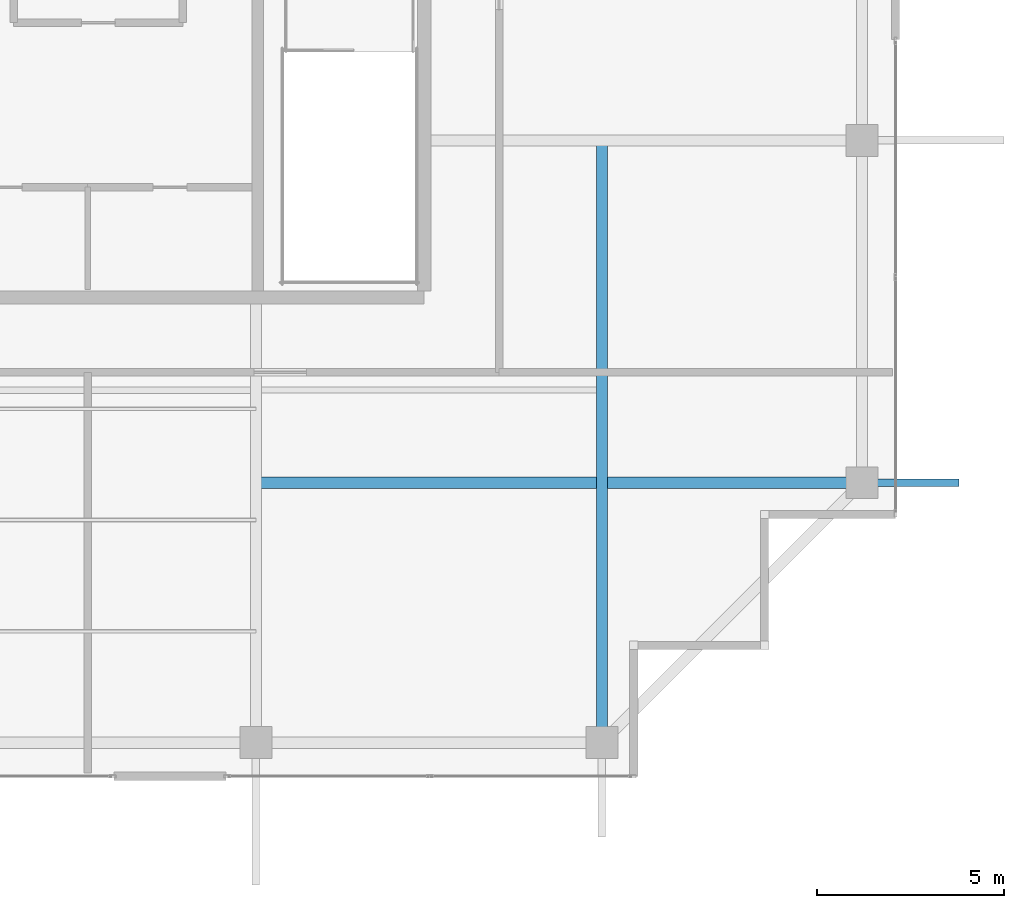
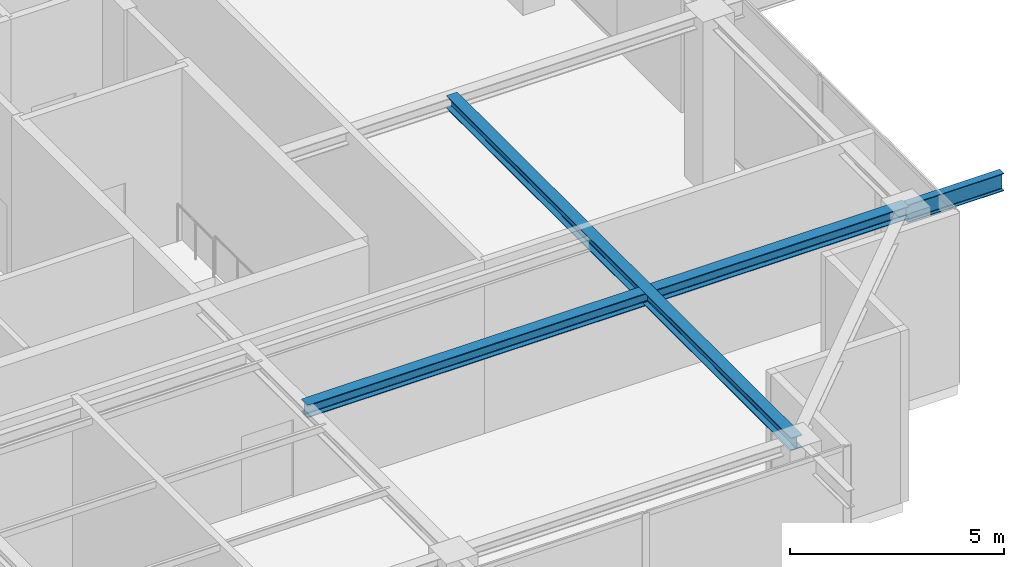
# One storey, part 12 of 27: 3 beams.
"""IFC4 building model written with IfcOpenShell, lengths in metres."""

from ifc_helpers import new_model, si_unit, direction, frame, origin, origin_2d, place, context, subcontext, project, spatial, i_section, extrude, source, transform, mapped, material, material_profile, profile_set, type_object, element, save


model = new_model("IFC4")

# Units and contexts
model_context = context("Model", 3, precision=1e-05, world=origin(), true_north=direction((0.0, 1.0)))
body_context = subcontext(model_context, "Body", "Model", "MODEL_VIEW")
ifc_project = project(units=[si_unit("LENGTHUNIT", "METRE"), si_unit("AREAUNIT", "SQUARE_METRE"), si_unit("VOLUMEUNIT", "CUBIC_METRE"), si_unit("PLANEANGLEUNIT", "RADIAN"), si_unit("MASSUNIT", "GRAM", prefix="KILO")], contexts=[model_context])

# Site, building, storey
site_placement = place(None, origin())
site = spatial("IfcSite", under=ifc_project, at=site_placement, CompositionType="ELEMENT")
building_placement = place(site_placement, origin())
building = spatial("IfcBuilding", under=site, at=building_placement, Name="Serunith Strait Residences", CompositionType="ELEMENT")
storey_placement = place(building_placement, frame((0.0, 0.0, 365.75)))
storey = spatial("IfcBuildingStorey", under=building, at=storey_placement, Name="L89", CompositionType="ELEMENT", Elevation=365.75)

# Beams
ifc_material = material(Name="Steel S355J2", Category="steel")
ifc_material_profile_1 = material_profile(ifc_material, i_section(OverallWidth=0.300048828125, OverallDepth=0.360107421875, WebThickness=0.012451171875, FlangeThickness=0.0224609375, FilletRadius=0.027099609375, at=origin_2d()), Name="HEB 360")
ifc_profile_set_1 = profile_set([ifc_material_profile_1], Name="Steel S355J2")
beam_type_1 = type_object("IfcBeamType", Name="BM-HEB360", PredefinedType="BEAM", material=ifc_profile_set_1)
shared_shape_1 = source(origin(), body_context, "Body", "SweptSolid", [
    extrude(i_section(OverallWidth=0.300048828125, OverallDepth=0.360107421875, WebThickness=0.012451171875, FlangeThickness=0.0224609375, FilletRadius=0.027099609375, at=origin_2d()), origin(), (0.0, 0.0, 1.0), 16.10009765625),
])
beam_1_placement = place(storey_placement, frame((46.14990234375, 21.0, 4.717041015625), z_axis=(0.0, -1.0, 0.0), x_axis=(1.0, 0.0, 0.0)))
element("IfcBeam", 1, at=beam_1_placement, inside=storey, type_object=beam_type_1, Name="L89 Orthogonal Corner Girder TC-S4", PredefinedType="BEAM", context=body_context, shape_type="MappedRepresentation", body=[
    mapped(shared_shape_1, transform((0.0, 0.0, 0.0), scale=1.0)),
])
shared_shape_2 = source(origin(), body_context, "Body", "SweptSolid", [
    extrude(i_section(OverallWidth=0.300048828125, OverallDepth=0.360107421875, WebThickness=0.012451171875, FlangeThickness=0.0224609375, FilletRadius=0.027099609375, at=origin_2d()), origin(), (0.0, 0.0, 1.0), 16.2001953125),
])
beam_2_placement = place(storey_placement, frame((36.89990234375, 11.85009765625, 4.717041015625), z_axis=(1.0, 0.0, 0.0), x_axis=(0.0, 1.0, 0.0)))
element("IfcBeam", 2, at=beam_2_placement, inside=storey, type_object=beam_type_1, Name="L89 Orthogonal Corner Girder TC-E1", PredefinedType="BEAM", context=body_context, shape_type="MappedRepresentation", body=[
    mapped(shared_shape_2, transform((0.0, 0.0, 0.0), scale=1.0)),
])
ifc_material_profile_2 = material_profile(ifc_material, i_section(OverallWidth=0.199951171875, OverallDepth=0.5, WebThickness=0.01025390625, FlangeThickness=0.01611328125, FilletRadius=0.02099609375, at=origin_2d()), Name="IPE 500")
ifc_profile_set_2 = profile_set([ifc_material_profile_2], Name="Steel S355J2")
beam_type_2 = type_object("IfcBeamType", Name="BM-IPE500", PredefinedType="JOIST", material=ifc_profile_set_2)
shared_shape_3 = source(origin(), body_context, "Body", "SweptSolid", [
    extrude(i_section(OverallWidth=0.199951171875, OverallDepth=0.5, WebThickness=0.01025390625, FlangeThickness=0.01611328125, FilletRadius=0.02099609375, at=origin_2d()), origin(), (0.0, 0.0, 1.0), 2.5908203125),
])
beam_3_placement = place(storey_placement, frame((53.10009765625, 11.85009765625, 4.64697265625), z_axis=(1.0, 0.0, 0.0), x_axis=(0.0, 1.0, 0.0)))
element("IfcBeam", 3, at=beam_3_placement, inside=storey, type_object=beam_type_2, Name="Crown Canopy Cantilever Rafter TC-E1", PredefinedType="JOIST", context=body_context, shape_type="MappedRepresentation", body=[
    mapped(shared_shape_3, transform((0.0, 0.0, 0.0), scale=1.0)),
])

save(model, "model.ifc")
